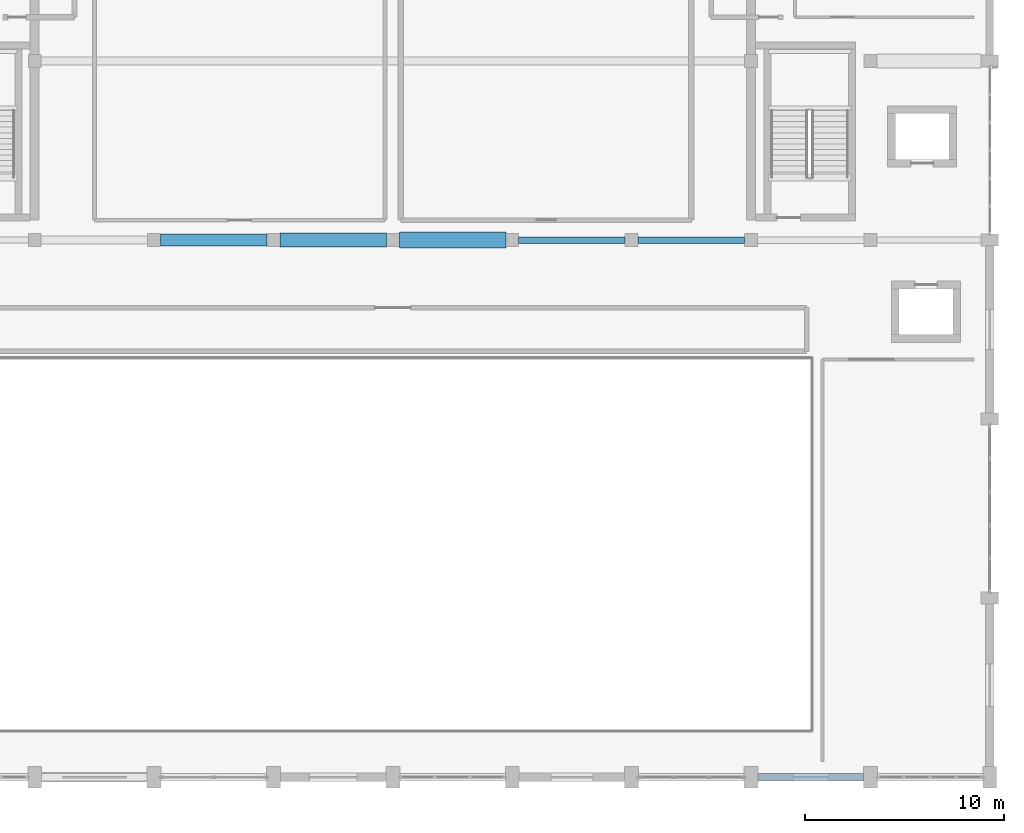
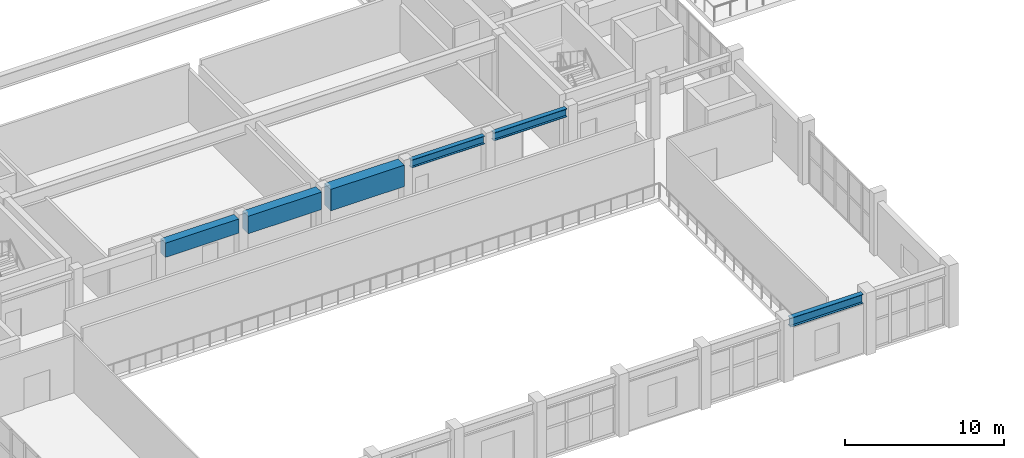
# One storey, part 14 of 62: 6 beams.
"""IFC4 building model written with IfcOpenShell, lengths in metres."""

from ifc_helpers import new_model, si_unit, direction, frame, origin, origin_2d, place, context, subcontext, project, spatial, rectangle, i_section, extrude, material, material_profile, profile_set, type_object, element, save


model = new_model("IFC4")

# Units and contexts
model_context = context("Model", 3, precision=1e-05, world=origin(), true_north=direction((0.0, 1.0)))
body_context = subcontext(model_context, "Body", "Model", "MODEL_VIEW")
ifc_project = project(units=[si_unit("LENGTHUNIT", "METRE"), si_unit("AREAUNIT", "SQUARE_METRE"), si_unit("VOLUMEUNIT", "CUBIC_METRE"), si_unit("PLANEANGLEUNIT", "RADIAN"), si_unit("MASSUNIT", "GRAM", prefix="KILO")], contexts=[model_context])

# Site, building, storey
site_placement = place(None, origin())
site = spatial("IfcSite", under=ifc_project, at=site_placement, CompositionType="ELEMENT")
building_placement = place(site_placement, origin())
building = spatial("IfcBuilding", under=site, at=building_placement, Name="Vaelkrest Opera House", CompositionType="ELEMENT")
storey_placement = place(building_placement, frame((0.0, 0.0, 19.800048828125)))
storey = spatial("IfcBuildingStorey", under=building, at=storey_placement, Name="L04", CompositionType="ELEMENT", Elevation=19.800048828125)

# Beams
ifc_material_1 = material(Name="Concrete C50/60", Category="concrete")
ifc_material_profile_1 = material_profile(ifc_material_1, rectangle(XDim=0.60009765625, YDim=1.10009765625, at=origin_2d()), Name="RCB600X1100")
ifc_profile_set_1 = profile_set([ifc_material_profile_1], Name="Concrete C50/60")
beam_type_1 = type_object("IfcBeamType", Name="B05", PredefinedType="BEAM", material=ifc_profile_set_1)
beam_1_placement = place(storey_placement, frame((-11.675048828125, -28.800048828125, 3.954833984375), z_axis=(1.0, 0.0, 0.0), x_axis=(0.0, 1.0, 0.0)))
element("IfcBeam", 1, at=beam_1_placement, inside=storey, type_object=beam_type_1, Name="Beam BM-V1-L04-0542", PredefinedType="BEAM", context=body_context, shape_type="SweptSolid", body=[
    extrude(rectangle(XDim=0.60009765625, YDim=1.10009765625, at=origin_2d()), origin(), (0.0, 0.0, 1.0), 5.35009765625),
])
ifc_material_profile_2 = material_profile(ifc_material_1, rectangle(XDim=0.699951171875, YDim=1.35009765625, at=origin_2d()), Name="RCB700X1350")
ifc_profile_set_2 = profile_set([ifc_material_profile_2], Name="Concrete C50/60")
beam_type_2 = type_object("IfcBeamType", Name="B06", PredefinedType="BEAM", material=ifc_profile_set_2)
beam_2_placement = place(storey_placement, frame((-5.675048828125, -28.800048828125, 3.829833984375), z_axis=(1.0, 0.0, 0.0), x_axis=(0.0, 1.0, 0.0)))
element("IfcBeam", 2, at=beam_2_placement, inside=storey, type_object=beam_type_2, Name="Beam BM-V1-L04-0543", PredefinedType="BEAM", context=body_context, shape_type="SweptSolid", body=[
    extrude(rectangle(XDim=0.699951171875, YDim=1.35009765625, at=origin_2d()), origin(), (0.0, 0.0, 1.0), 5.35009765625),
])
ifc_material_profile_3 = material_profile(ifc_material_1, rectangle(XDim=0.800048828125, YDim=1.64990234375, at=origin_2d()), Name="RCB800X1650")
ifc_profile_set_3 = profile_set([ifc_material_profile_3], Name="Concrete C50/60")
beam_type_3 = type_object("IfcBeamType", Name="B07", PredefinedType="BEAM", material=ifc_profile_set_3)
beam_3_placement = place(storey_placement, frame((0.324951171875, -28.800048828125, 3.679931640625), z_axis=(1.0, 0.0, 0.0), x_axis=(0.0, 1.0, 0.0)))
element("IfcBeam", 3, at=beam_3_placement, inside=storey, type_object=beam_type_3, Name="Beam BM-V1-L04-0544", PredefinedType="BEAM", context=body_context, shape_type="SweptSolid", body=[
    extrude(rectangle(XDim=0.800048828125, YDim=1.64990234375, at=origin_2d()), origin(), (0.0, 0.0, 1.0), 5.35009765625),
])
ifc_material_2 = material(Name="Steel A992 Gr50", Category="steel")
ifc_material_profile_4 = material_profile(ifc_material_2, i_section(OverallWidth=0.323974609375, OverallDepth=0.611083984375, WebThickness=0.0126953125, FlangeThickness=0.01904296875, at=origin_2d()), Name="W24X104")
ifc_profile_set_4 = profile_set([ifc_material_profile_4], Name="Steel A992 Gr50")
beam_type_4 = type_object("IfcBeamType", Name="B08", PredefinedType="BEAM", material=ifc_profile_set_4)
beam_4_placement = place(storey_placement, frame((6.324951171875, -28.800048828125, 4.199462890625), z_axis=(1.0, 0.0, 0.0), x_axis=(0.0, 1.0, 0.0)))
element("IfcBeam", 4, at=beam_4_placement, inside=storey, type_object=beam_type_4, Name="Beam BM-V1-L04-0545", PredefinedType="BEAM", context=body_context, shape_type="SweptSolid", body=[
    extrude(i_section(OverallWidth=0.323974609375, OverallDepth=0.611083984375, WebThickness=0.0126953125, FlangeThickness=0.01904296875, at=origin_2d()), origin(), (0.0, 0.0, 1.0), 5.35009765625),
])
ifc_material_profile_5 = material_profile(ifc_material_2, i_section(OverallWidth=0.327880859375, OverallDepth=0.6279296875, WebThickness=0.0166015625, FlangeThickness=0.027587890625, at=origin_2d()), Name="W24X146")
ifc_profile_set_5 = profile_set([ifc_material_profile_5], Name="Steel A992 Gr50")
beam_type_5 = type_object("IfcBeamType", Name="B09", PredefinedType="BEAM", material=ifc_profile_set_5)
beam_5_placement = place(storey_placement, frame((12.324951171875, -28.800048828125, 4.19091796875), z_axis=(1.0, 0.0, 0.0), x_axis=(0.0, 1.0, 0.0)))
element("IfcBeam", 5, at=beam_5_placement, inside=storey, type_object=beam_type_5, Name="Beam BM-V1-L04-0546", PredefinedType="BEAM", context=body_context, shape_type="SweptSolid", body=[
    extrude(i_section(OverallWidth=0.327880859375, OverallDepth=0.6279296875, WebThickness=0.0166015625, FlangeThickness=0.027587890625, at=origin_2d()), origin(), (0.0, 0.0, 1.0), 5.35009765625),
])
ifc_material_profile_6 = material_profile(ifc_material_2, i_section(OverallWidth=0.35498046875, OverallDepth=0.695068359375, WebThickness=0.015380859375, FlangeThickness=0.02490234375, at=origin_2d()), Name="W27X146")
ifc_profile_set_6 = profile_set([ifc_material_profile_6], Name="Steel A992 Gr50")
beam_type_6 = type_object("IfcBeamType", Name="SP02", PredefinedType="SPANDREL", material=ifc_profile_set_6)
beam_6_placement = place(storey_placement, frame((18.35009765625, -55.800048828125, 4.157470703125), z_axis=(1.0, 0.0, 0.0), x_axis=(0.0, 1.0, 0.0)))
element("IfcBeam", 6, at=beam_6_placement, inside=storey, type_object=beam_type_6, Name="Beam BM-V1-L04-0537", PredefinedType="SPANDREL", context=body_context, shape_type="SweptSolid", body=[
    extrude(i_section(OverallWidth=0.35498046875, OverallDepth=0.695068359375, WebThickness=0.015380859375, FlangeThickness=0.02490234375, at=origin_2d()), origin(), (0.0, 0.0, 1.0), 5.2998046875),
])

save(model, "model.ifc")
